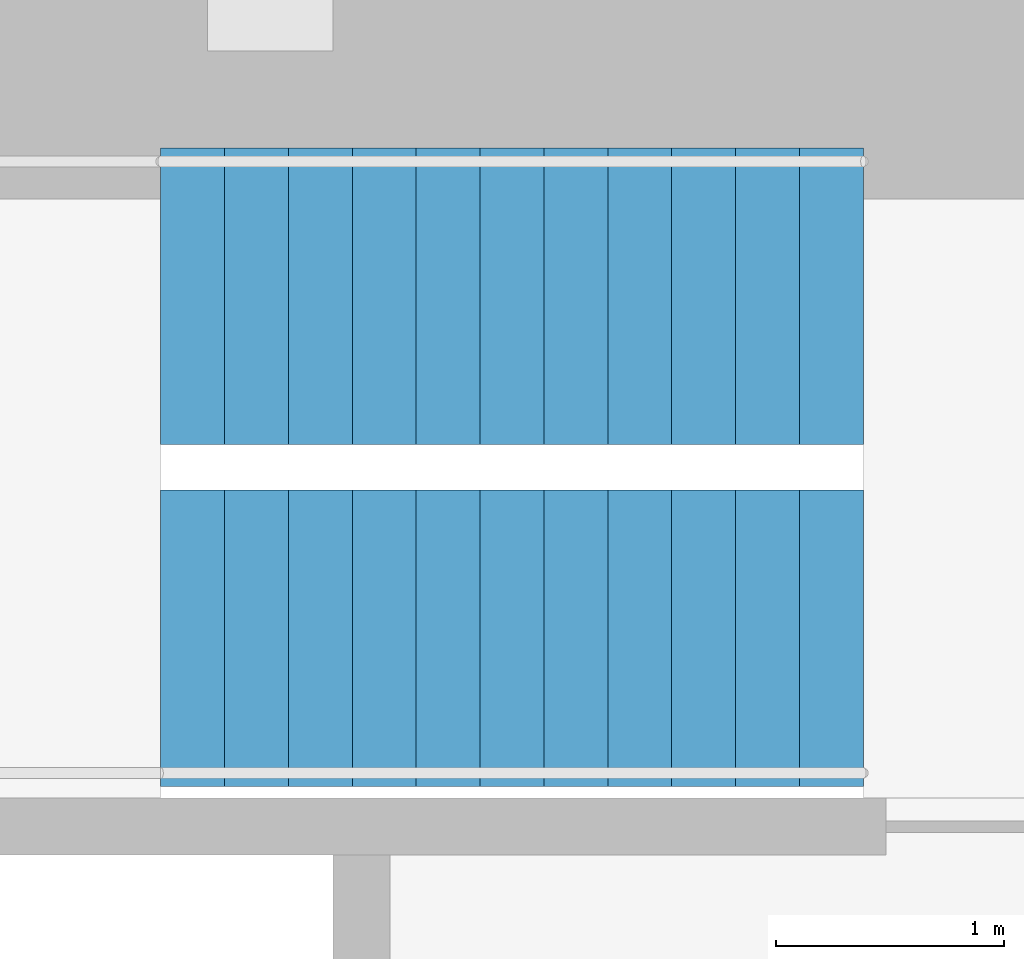
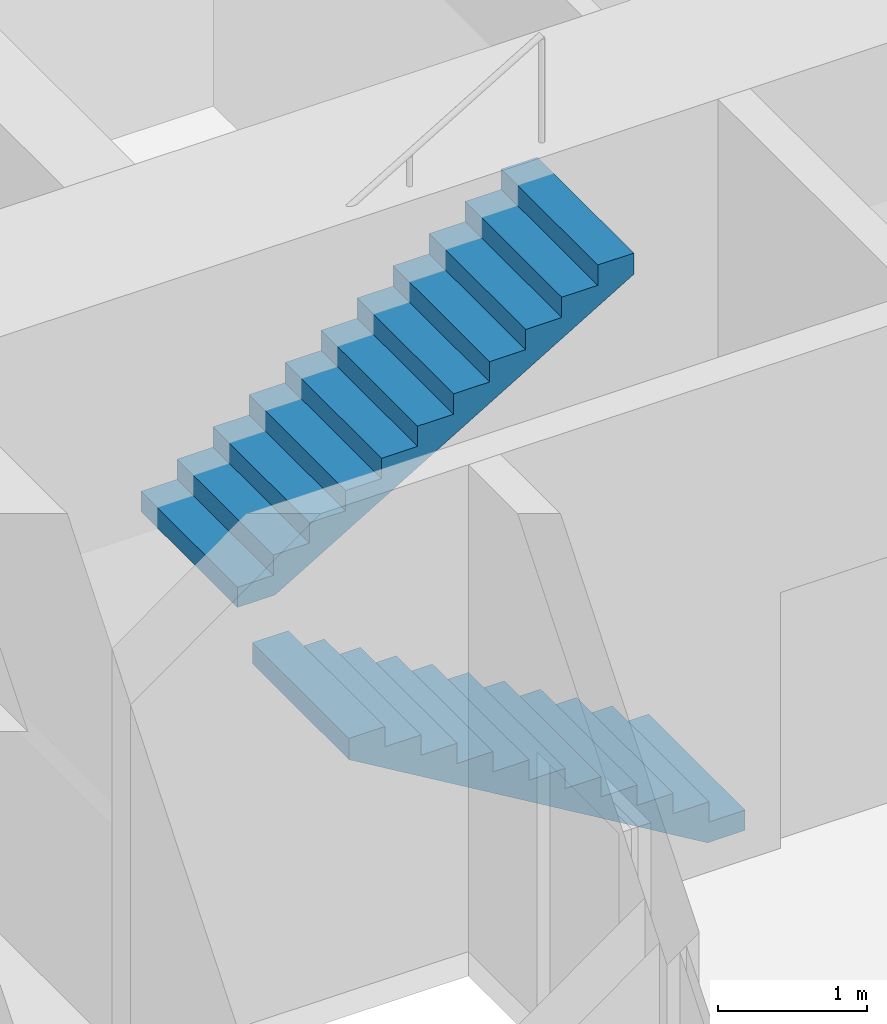
# One storey, part 12 of 13: 2 stair flights, 1 element without a shape of its own.
"""IFC4 building model written with IfcOpenShell, lengths in metres."""

from ifc_helpers import new_model, si_unit, direction, frame, origin, place, context, subcontext, project, spatial, polyline, outline, extrude, material, type_object, element, aggregate, save


model = new_model("IFC4")

# Units and contexts
model_context = context("Model", 3, precision=1e-05, world=origin(), true_north=direction((0.0, 1.0)))
body_context = subcontext(model_context, "Body", "Model", "MODEL_VIEW")
ifc_project = project(units=[si_unit("LENGTHUNIT", "METRE"), si_unit("AREAUNIT", "SQUARE_METRE"), si_unit("VOLUMEUNIT", "CUBIC_METRE"), si_unit("PLANEANGLEUNIT", "RADIAN"), si_unit("MASSUNIT", "GRAM", prefix="KILO")], contexts=[model_context])

# Site, building, storey
site_placement = place(None, origin())
site = spatial("IfcSite", under=ifc_project, at=site_placement, CompositionType="ELEMENT")
building_placement = place(site_placement, origin())
building = spatial("IfcBuilding", under=site, at=building_placement, Name="Torre Cruceta", CompositionType="ELEMENT")
storey_placement = place(building_placement, frame((0.0, 0.0, 160.5)))
storey = spatial("IfcBuildingStorey", under=building, at=storey_placement, Name="L39", CompositionType="ELEMENT", Elevation=160.5)

# Stair, stair flights
ifc_material_1 = material(Name="Concrete G30 (fck 30 MPa)", Category="concrete")
stair_type = type_object("IfcStairType", Name="STAIR HALF-TURN 1300", PredefinedType="HALF_TURN_STAIR", material=ifc_material_1)
stair_placement = place(storey_placement, origin())
stair = element("IfcStair", 1, at=stair_placement, inside=storey, type_object=stair_type, Name="Stair ST1 L39", PredefinedType="HALF_TURN_STAIR")
ifc_material_2 = material(Name="Concrete G30 (fck 30 MPa)", Category="concrete")
stair_flight_type = type_object("IfcStairFlightType", Name="STAIR FLIGHT 1300", PredefinedType="STRAIGHT", material=ifc_material_2)
stair_flight_1_placement = place(storey_placement, frame((-3.39990234375, 6.425048828125, 0.0), z_axis=(0.0, 0.0, 1.0), x_axis=(-1.0, 0.0, 0.0)))
stair_flight_1 = element("IfcStairFlight", 2, at=stair_flight_1_placement, type_object=stair_flight_type, Name="ST1 flight 1", NumberOfRisers=12, NumberOfTreads=11, PredefinedType="STRAIGHT", RiserHeight=0.166666667, TreadLength=0.28, context=body_context, shape_type="SweptSolid", body=[
    extrude(outline(polyline([(0.0, 0.0), (0.0, 0.166748046875), (0.280029296875, 0.166748046875), (0.280029296875, 0.333251953125), (0.56005859375, 0.333251953125), (0.56005859375, 0.5), (0.840087890625, 0.5), (0.840087890625, 0.666748046875), (1.1201171875, 0.666748046875), (1.1201171875, 0.833251953125), (1.39990234375, 0.833251953125), (1.39990234375, 1.0), (1.679931640625, 1.0), (1.679931640625, 1.166748046875), (1.9599609375, 1.166748046875), (1.9599609375, 1.333251953125), (2.239990234375, 1.333251953125), (2.239990234375, 1.5), (2.52001953125, 1.5), (2.52001953125, 1.666748046875), (2.800048828125, 1.666748046875), (2.800048828125, 1.833251953125), (3.080078125, 1.833251953125), (3.080078125, 2.0), (3.080078125, 1.658935546875), (0.29296875, 0.0), (0.0, 0.0)])), frame((0.0, 0.64990234375, 0.0), z_axis=(0.0, -1.0, 0.0), x_axis=(1.0, 0.0, 0.0)), (0.0, 0.0, 1.0), 1.300048828125),
])
stair_flight_2_placement = place(storey_placement, frame((-6.47998046875, 7.925048828125, 2.0), z_axis=(0.0, 0.0, 1.0), x_axis=(1.0, 0.0, 0.0)))
stair_flight_2 = element("IfcStairFlight", 3, at=stair_flight_2_placement, type_object=stair_flight_type, Name="ST1 flight 2", NumberOfRisers=12, NumberOfTreads=11, PredefinedType="STRAIGHT", RiserHeight=0.166666667, TreadLength=0.28, context=body_context, shape_type="SweptSolid", body=[
    extrude(outline(polyline([(0.0, 0.0), (0.0, 0.166748046875), (0.280029296875, 0.166748046875), (0.280029296875, 0.333251953125), (0.56005859375, 0.333251953125), (0.56005859375, 0.5), (0.840087890625, 0.5), (0.840087890625, 0.666748046875), (1.1201171875, 0.666748046875), (1.1201171875, 0.833251953125), (1.39990234375, 0.833251953125), (1.39990234375, 1.0), (1.679931640625, 1.0), (1.679931640625, 1.166748046875), (1.9599609375, 1.166748046875), (1.9599609375, 1.333251953125), (2.239990234375, 1.333251953125), (2.239990234375, 1.5), (2.52001953125, 1.5), (2.52001953125, 1.666748046875), (2.800048828125, 1.666748046875), (2.800048828125, 1.833251953125), (3.080078125, 1.833251953125), (3.080078125, 2.0), (3.080078125, 1.658935546875), (0.29296875, 0.0), (0.0, 0.0)])), frame((0.0, 0.64990234375, 0.0), z_axis=(0.0, -1.0, 0.0), x_axis=(1.0, 0.0, 0.0)), (0.0, 0.0, 1.0), 1.300048828125),
])
aggregate(stair, [stair_flight_1, stair_flight_2])

save(model, "model.ifc")
